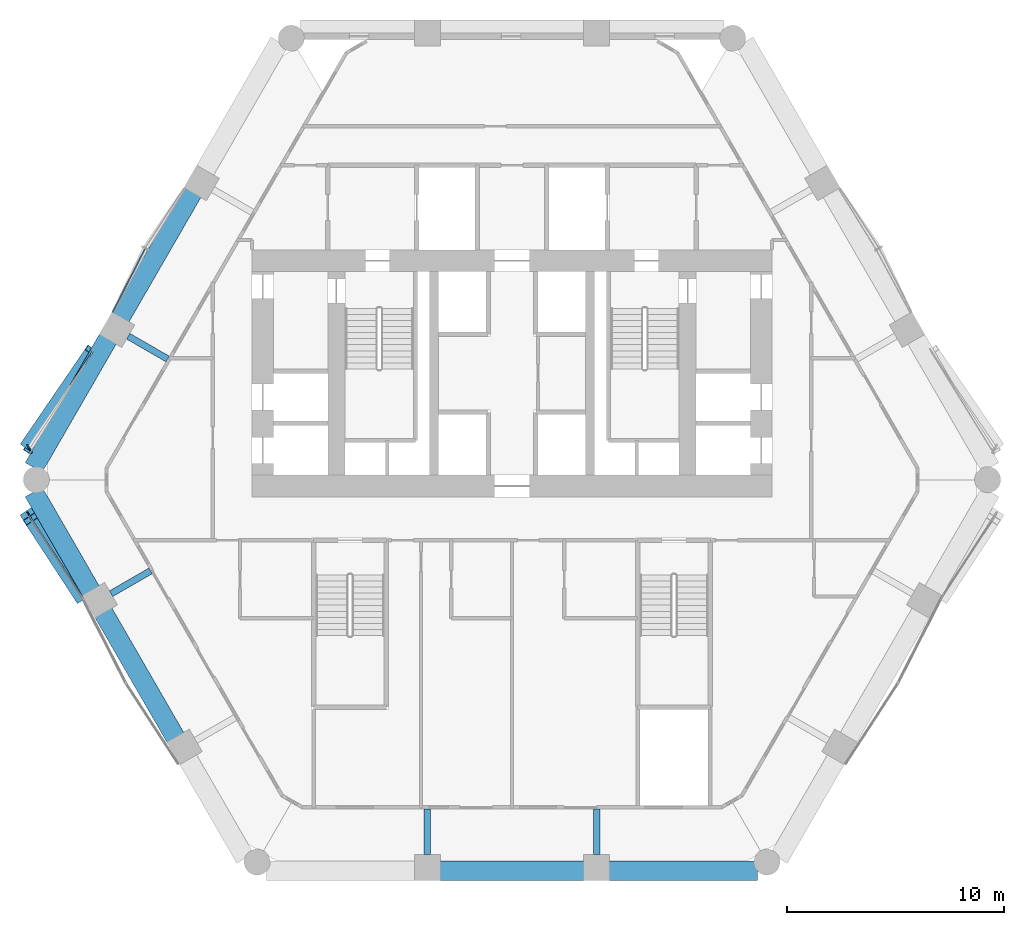
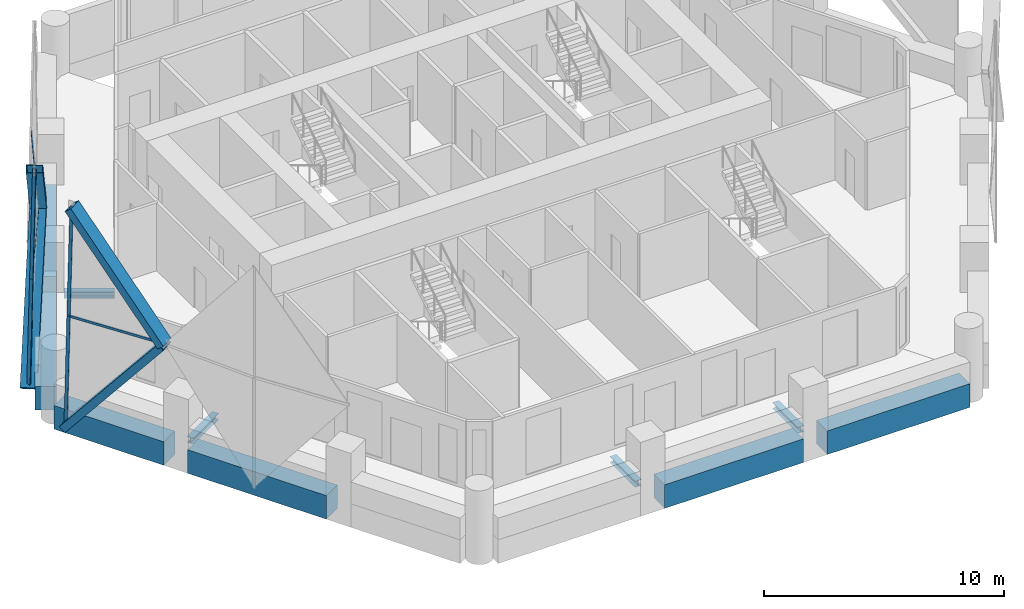
# One storey, part 3 of 17: 11 members, 10 beams, 4 elements without a shape of their own.
"""IFC4 building model written with IfcOpenShell, lengths in metres."""

from ifc_helpers import new_model, si_unit, direction, frame, origin, origin_2d, place, context, subcontext, project, spatial, rectangle, hollow_rectangle, i_section, extrude, material, material_profile, profile_set, type_object, element, aggregate, save


model = new_model("IFC4")

# Units and contexts
model_context = context("Model", 3, precision=1e-05, world=origin(), true_north=direction((0.0, 1.0)))
body_context = subcontext(model_context, "Body", "Model", "MODEL_VIEW")
ifc_project = project(units=[si_unit("LENGTHUNIT", "METRE"), si_unit("AREAUNIT", "SQUARE_METRE"), si_unit("VOLUMEUNIT", "CUBIC_METRE"), si_unit("PLANEANGLEUNIT", "RADIAN"), si_unit("MASSUNIT", "GRAM", prefix="KILO")], contexts=[model_context])

# Site, building, storey
site_placement = place(None, origin())
site = spatial("IfcSite", under=ifc_project, at=site_placement, CompositionType="ELEMENT")
building_placement = place(site_placement, origin())
building = spatial("IfcBuilding", under=site, at=building_placement, Name="Ostrander Bayou Hotel Tower", CompositionType="ELEMENT")
storey_placement = place(building_placement, frame((0.0, 0.0, 127.25)))
storey = spatial("IfcBuildingStorey", under=building, at=storey_placement, Name="L31", CompositionType="ELEMENT", Elevation=127.25)

# Curtain wall, members
ifc_material_1 = material(Name="Aluminium and clear glass", Category="aluminium")
curtain_wall_type = type_object("IfcCurtainWallType", Name="CW-LAT lattice glazing", PredefinedType="NOTDEFINED", material=ifc_material_1)
curtain_wall_1_placement = place(storey_placement, origin())
curtain_wall_1 = element("IfcCurtainWall", 1, at=curtain_wall_1_placement, inside=storey, type_object=curtain_wall_type, Name="CW-LAT L31 NW 1", PredefinedType="NOTDEFINED")
ifc_material_2 = material(Name="Aluminium", Category="aluminium")
ifc_material_profile_1 = material_profile(ifc_material_2, hollow_rectangle(XDim=0.06005859375, YDim=0.159912109375, WallThickness=0.00390625, at=origin_2d()))
ifc_profile_set_1 = profile_set([ifc_material_profile_1], Name="Aluminium")
member_type_1 = type_object("IfcMemberType", Name="CW-LA mullion 60 x 160 mm", PredefinedType="MULLION", material=ifc_profile_set_1)
member_1_placement = place(storey_placement, frame((-22.33056640625, 0.640380859375, -0.60009765625), z_axis=(0.012626204898, -0.021781288175, 0.999683026982), x_axis=(0.865150838603, 0.501511741103, 0.0)))
member_1 = element("IfcMember", 2, at=member_1_placement, type_object=member_type_1, Name="CW-LAT mullion 5", PredefinedType="MULLION", context=body_context, shape_type="SweptSolid", body=[
    extrude(hollow_rectangle(XDim=0.06005859375, YDim=0.159912109375, WallThickness=0.00390625, at=origin_2d()), origin(), (0.0, 0.0, 1.0), 5.626708984375),
])
member_2_placement = place(storey_placement, frame((-22.259521484375, 0.517822265625, 5.02490234375), z_axis=(0.012582810856, -0.021824668484, 0.999682627996), x_axis=(0.866328918095, 0.499473928922, 0.0)))
member_2 = element("IfcMember", 3, at=member_2_placement, type_object=member_type_1, Name="CW-LAT mullion 6", PredefinedType="MULLION", context=body_context, shape_type="SweptSolid", body=[
    extrude(hollow_rectangle(XDim=0.06005859375, YDim=0.159912109375, WallThickness=0.00390625, at=origin_2d()), origin(), (0.0, 0.0, 1.0), 5.626708984375),
])
aggregate(curtain_wall_1, [member_1, member_2])

curtain_wall_2_placement = place(storey_placement, origin())
curtain_wall_2 = element("IfcCurtainWall", 4, at=curtain_wall_2_placement, inside=storey, type_object=curtain_wall_type, Name="CW-LAT L31 SW 1", PredefinedType="NOTDEFINED")
member_3_placement = place(storey_placement, frame((-22.33056640625, -2.46240234375, -0.60009765625), z_axis=(0.012626192954, -0.021824656549, 0.999682081273), x_axis=(0.865583332221, 0.500764909893, 0.0)))
member_3 = element("IfcMember", 5, at=member_3_placement, type_object=member_type_1, Name="CW-LAT mullion 1", PredefinedType="MULLION", context=body_context, shape_type="SweptSolid", body=[
    extrude(hollow_rectangle(XDim=0.06005859375, YDim=0.159912109375, WallThickness=0.00390625, at=origin_2d()), origin(), (0.0, 0.0, 1.0), 5.626708984375),
])
member_4_placement = place(storey_placement, frame((-22.259521484375, -2.585205078125, 5.02490234375), z_axis=(0.012582810856, -0.021824668484, 0.999682627996), x_axis=(0.866328918095, 0.499473928922, 0.0)))
member_4 = element("IfcMember", 6, at=member_4_placement, type_object=member_type_1, Name="CW-LAT mullion 2", PredefinedType="MULLION", context=body_context, shape_type="SweptSolid", body=[
    extrude(hollow_rectangle(XDim=0.06005859375, YDim=0.159912109375, WallThickness=0.00390625, at=origin_2d()), origin(), (0.0, 0.0, 1.0), 5.626708984375),
])
aggregate(curtain_wall_2, [member_3, member_4])

curtain_wall_3_placement = place(storey_placement, origin())
curtain_wall_3 = element("IfcCurtainWall", 7, at=curtain_wall_3_placement, inside=storey, type_object=curtain_wall_type, Name="CW-LAT L31 NW 2", PredefinedType="NOTDEFINED")
ifc_material_3 = material(Name="Aluminium", Category="aluminium")
ifc_material_profile_2 = material_profile(ifc_material_3, hollow_rectangle(XDim=0.06005859375, YDim=0.1201171875, WallThickness=0.00390625, at=origin_2d()))
ifc_profile_set_2 = profile_set([ifc_material_profile_2], Name="Aluminium")
member_type_2 = type_object("IfcMemberType", Name="CW-LA transom 60 x 120 mm", PredefinedType="USERDEFINED", material=ifc_profile_set_2)
member_5_placement = place(storey_placement, frame((-16.9189453125, 9.76806640625, 5.02490234375), z_axis=(-0.454278100017, -0.890859926052, 0.0), x_axis=(0.890859926052, -0.454278100017, 0.0)))
member_5 = element("IfcMember", 8, at=member_5_placement, type_object=member_type_2, Name="CW-LAT transom 4", ObjectType="TRANSOM", PredefinedType="USERDEFINED", context=body_context, shape_type="SweptSolid", body=[
    extrude(hollow_rectangle(XDim=0.06005859375, YDim=0.1201171875, WallThickness=0.00390625, at=origin_2d()), origin(), (0.0, 0.0, 1.0), 3.31103515625),
])
member_6_placement = place(storey_placement, frame((-22.259521484375, 0.517822265625, 5.02490234375), z_axis=(0.544354362281, 0.838855367906, 0.0), x_axis=(-0.838855367906, 0.544354362281, 0.0)))
member_6 = element("IfcMember", 9, at=member_6_placement, type_object=member_type_2, Name="CW-LAT transom 7", ObjectType="TRANSOM", PredefinedType="USERDEFINED", context=body_context, shape_type="SweptSolid", body=[
    extrude(hollow_rectangle(XDim=0.06005859375, YDim=0.1201171875, WallThickness=0.00390625, at=origin_2d()), origin(), (0.0, 0.0, 1.0), 5.347900390625),
])
aggregate(curtain_wall_3, [member_5, member_6])

# Curtain wall, member
curtain_wall_4_placement = place(storey_placement, origin())
curtain_wall_4 = element("IfcCurtainWall", 10, at=curtain_wall_4_placement, inside=storey, type_object=curtain_wall_type, Name="CW-LAT L31 SW 2", PredefinedType="NOTDEFINED")
member_7_placement = place(storey_placement, frame((-22.259521484375, -2.585205078125, 5.02490234375), z_axis=(0.545325633077, -0.838224286161, 0.0), x_axis=(0.838224286161, 0.545325633077, 0.0)))
member_7 = element("IfcMember", 11, at=member_7_placement, type_object=member_type_2, Name="CW-LAT transom 3", ObjectType="TRANSOM", PredefinedType="USERDEFINED", context=body_context, shape_type="SweptSolid", body=[
    extrude(hollow_rectangle(XDim=0.06005859375, YDim=0.1201171875, WallThickness=0.00390625, at=origin_2d()), origin(), (0.0, 0.0, 1.0), 4.451904296875),
])
aggregate(curtain_wall_4, [member_7])

# Beams
ifc_material_4 = material(Name="Steel ASTM A992", Category="steel")
ifc_material_profile_3 = material_profile(ifc_material_4, i_section(OverallWidth=0.3046875, OverallDepth=0.307861328125, WebThickness=0.010009765625, FlangeThickness=0.015380859375, at=origin_2d()))
ifc_profile_set_3 = profile_set([ifc_material_profile_3], Name="Steel ASTM A992")
beam_type_1 = type_object("IfcBeamType", Name="LB1 loggia bracket W12x65", PredefinedType="BEAM", material=ifc_profile_set_3)
for number, where, z_axis, x_axis, name in (
    (12, (-17.70556640625, 5.711181640625, -0.453857421875), (0.866009402589, -0.500027713859, 0.0), (0.500027713859, 0.866009402589, 0.0), "LB1 L31 NW2"),
    (13, (-18.494384765625, -6.166748046875, -0.453857421875), (0.866009402589, 0.500027713859, 0.0), (-0.500027713859, 0.866009402589, 0.0), "LB1 L31 SW1"),
):
    element("IfcBeam", number, at=place(storey_placement, frame(where, z_axis=z_axis, x_axis=x_axis)), inside=storey, type_object=beam_type_1, Name=name, PredefinedType="BEAM", context=body_context, shape_type="SweptSolid", body=[
        extrude(i_section(OverallWidth=0.3046875, OverallDepth=0.307861328125, WebThickness=0.010009765625, FlangeThickness=0.015380859375, at=origin_2d()), origin(), (0.0, 0.0, 1.0), 2.10009765625),
    ])
for number, where, z_axis, x_axis, name in (
    (14, (-3.90673828125, -18.18896484375, -0.453857421875), (0.0, 1.0, 0.0), (-1.0, 0.0, 0.0), "LB1 L31 S1"),
    (15, (3.90673828125, -18.18896484375, -0.453857421875), (0.0, 1.0, 0.0), (-1.0, 0.0, 0.0), "LB1 L31 S2"),
):
    element("IfcBeam", number, at=place(storey_placement, frame(where, z_axis=z_axis, x_axis=x_axis)), inside=storey, type_object=beam_type_1, Name=name, PredefinedType="BEAM", context=body_context, shape_type="SweptSolid", body=[
        extrude(i_section(OverallWidth=0.3046875, OverallDepth=0.307861328125, WebThickness=0.010009765625, FlangeThickness=0.015380859375, at=origin_2d()), origin(), (0.0, 0.0, 1.0), 2.099853515625),
    ])

# Members
ifc_material_5 = material(Name="Steel ASTM A572 Gr 50", Category="steel")
ifc_material_profile_4 = material_profile(ifc_material_5, hollow_rectangle(XDim=0.699951171875, YDim=0.35009765625, WallThickness=0.02490234375, at=origin_2d()))
ifc_profile_set_4 = profile_set([ifc_material_profile_4], Name="Steel ASTM A572 Gr 50")
member_type_3 = type_object("IfcMemberType", Name="LT1 lattice member box 700 x 350 x 25 mm", PredefinedType="BRACE", material=ifc_profile_set_4)
member_8_placement = place(storey_placement, frame((-19.348388671875, 5.00390625, 5.02490234375), z_axis=(-0.38637037562, -0.565337513178, -0.72877392176), x_axis=(0.825606266482, -0.56424665949, 0.0)))
element("IfcMember", 16, at=member_8_placement, inside=storey, type_object=member_type_3, Name="LT1 L31 NW 1", PredefinedType="BRACE", context=body_context, shape_type="SweptSolid", body=[
    extrude(hollow_rectangle(XDim=0.699951171875, YDim=0.35009765625, WallThickness=0.02490234375, at=origin_2d()), origin(), (0.0, 0.0, 1.0), 7.718505859375),
])
member_9_placement = place(storey_placement, frame((-19.348388671875, 5.00390625, 5.02490234375), z_axis=(-0.36381654259, -0.590349724172, 0.720503106522), x_axis=(0.851320598151, -0.524645822592, 0.0)))
element("IfcMember", 17, at=member_9_placement, inside=storey, type_object=member_type_3, Name="LT1 L31 NW 2", PredefinedType="BRACE", context=body_context, shape_type="SweptSolid", body=[
    extrude(hollow_rectangle(XDim=0.699951171875, YDim=0.35009765625, WallThickness=0.02490234375, at=origin_2d()), origin(), (0.0, 0.0, 1.0), 7.80712890625),
])
member_10_placement = place(storey_placement, frame((-19.831787109375, -6.31689453125, 5.02490234375), z_axis=(-0.344073410956, 0.530750465282, -0.774543369655), x_axis=(-0.839103569783, -0.543971689684, 0.0)))
element("IfcMember", 18, at=member_10_placement, inside=storey, type_object=member_type_3, Name="LT1 L31 SW 1", PredefinedType="BRACE", context=body_context, shape_type="SweptSolid", body=[
    extrude(hollow_rectangle(XDim=0.699951171875, YDim=0.35009765625, WallThickness=0.02490234375, at=origin_2d()), origin(), (0.0, 0.0, 1.0), 7.262451171875),
])
member_11_placement = place(storey_placement, frame((-19.831787109375, -6.31689453125, 5.02490234375), z_axis=(-0.332590432574, 0.509255414783, 0.793752182154), x_axis=(-0.837258862077, -0.546806728081, 0.0)))
element("IfcMember", 19, at=member_11_placement, inside=storey, type_object=member_type_3, Name="LT1 L31 SW 2", PredefinedType="BRACE", context=body_context, shape_type="SweptSolid", body=[
    extrude(hollow_rectangle(XDim=0.699951171875, YDim=0.35009765625, WallThickness=0.02490234375, at=origin_2d()), origin(), (0.0, 0.0, 1.0), 7.086669921875),
])

# Beams
ifc_material_6 = material(Name="Concrete f'c 70 MPa", Category="concrete")
ifc_material_profile_5 = material_profile(ifc_material_6, rectangle(XDim=0.89990234375, YDim=1.199951171875, at=origin_2d()))
ifc_profile_set_5 = profile_set([ifc_material_profile_5], Name="Concrete f'c 70 MPa")
beam_type_2 = type_object("IfcBeamType", Name="SP2 spandrel beam 900 x 1200 mm f'c 70 MPa", PredefinedType="SPANDREL", material=ifc_profile_set_5)
beam_1_placement = place(storey_placement, frame((-14.7333984375, 12.359130859375, -0.60009765625), z_axis=(-0.499999023957, -0.866025967302, 0.0), x_axis=(0.866025967302, -0.499999023957, 0.0)))
element("IfcBeam", 20, at=beam_1_placement, inside=storey, type_object=beam_type_2, Name="SP2 L31 NW-2", PredefinedType="SPANDREL", context=body_context, shape_type="SweptSolid", body=[
    extrude(rectangle(XDim=0.89990234375, YDim=1.199951171875, at=origin_2d()), origin(), (0.0, 0.0, 1.0), 6.67333984375),
])
beam_2_placement = place(storey_placement, frame((-18.639892578125, 5.592529296875, -0.60009765625), z_axis=(-0.500001814021, -0.866024356456, 0.0), x_axis=(0.866024356456, -0.500001814021, 0.0)))
element("IfcBeam", 21, at=beam_2_placement, inside=storey, type_object=beam_type_2, Name="SP2 L31 NW-3", PredefinedType="SPANDREL", context=body_context, shape_type="SweptSolid", body=[
    extrude(rectangle(XDim=0.89990234375, YDim=1.199951171875, at=origin_2d()), origin(), (0.0, 0.0, 1.0), 6.85888671875),
])
beam_3_placement = place(storey_placement, frame((-22.0693359375, -1.474609375, -0.60009765625), z_axis=(0.499982573574, -0.866035464703, 0.0), x_axis=(0.866035464703, 0.499982573574, 0.0)))
element("IfcBeam", 22, at=beam_3_placement, inside=storey, type_object=beam_type_2, Name="SP2 L31 SW-1", PredefinedType="SPANDREL", context=body_context, shape_type="SweptSolid", body=[
    extrude(rectangle(XDim=0.89990234375, YDim=1.199951171875, at=origin_2d()), origin(), (0.0, 0.0, 1.0), 5.281005859375),
])
for number, where, z_axis, x_axis, name in (
    (23, (-18.85888671875, -7.035400390625, -0.60009765625), (0.499999023957, -0.866025967302, 0.0), (0.866025967302, 0.499999023957, 0.0), "SP2 L31 SW-2"),
    (24, (-3.336669921875, -18.93896484375, -0.60009765625), (1.0, 0.0, 0.0), (0.0, 1.0, 0.0), "SP2 L31 S-2"),
):
    element("IfcBeam", number, at=place(storey_placement, frame(where, z_axis=z_axis, x_axis=x_axis)), inside=storey, type_object=beam_type_2, Name=name, PredefinedType="SPANDREL", context=body_context, shape_type="SweptSolid", body=[
        extrude(rectangle(XDim=0.89990234375, YDim=1.199951171875, at=origin_2d()), origin(), (0.0, 0.0, 1.0), 6.67333984375),
    ])
beam_4_placement = place(storey_placement, frame((4.476806640625, -18.93896484375, -0.60009765625), z_axis=(1.0, 0.0, 0.0), x_axis=(0.0, 1.0, 0.0)))
element("IfcBeam", 25, at=beam_4_placement, inside=storey, type_object=beam_type_2, Name="SP2 L31 S-3", PredefinedType="SPANDREL", context=body_context, shape_type="SweptSolid", body=[
    extrude(rectangle(XDim=0.89990234375, YDim=1.199951171875, at=origin_2d()), origin(), (0.0, 0.0, 1.0), 6.85888671875),
])

save(model, "model.ifc")
